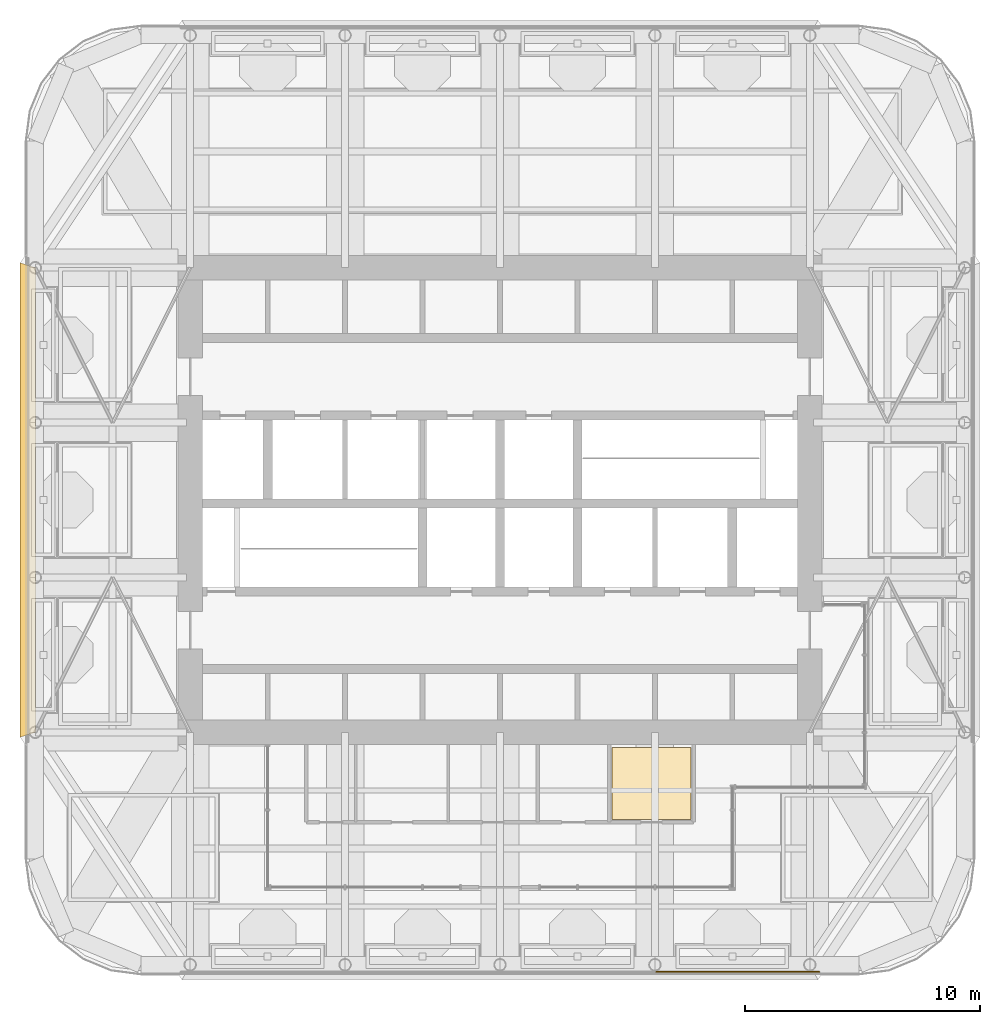
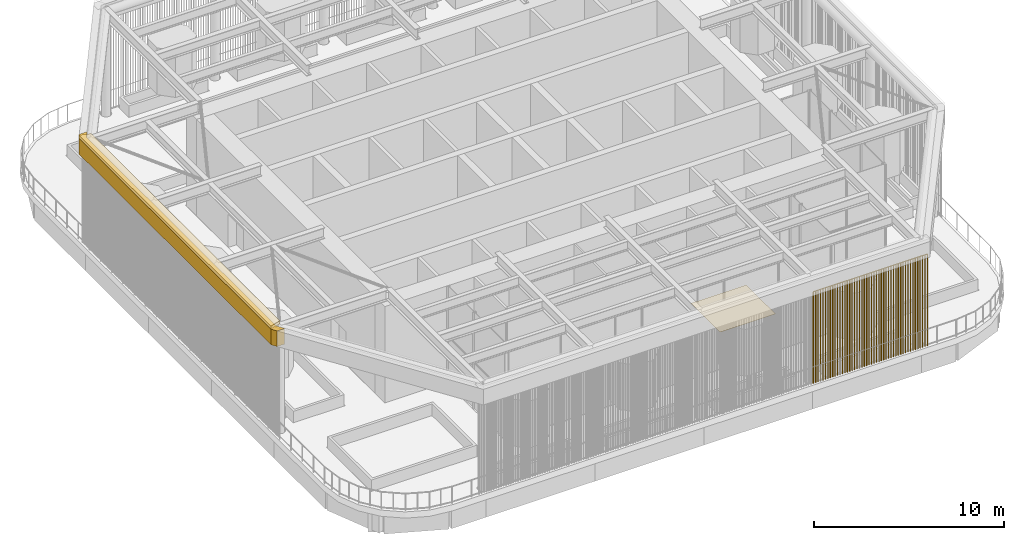
# One storey, part 12 of 22: 4 coverings.
"""IFC4 building model written with IfcOpenShell, lengths in metres."""

from ifc_helpers import new_model, si_unit, direction, frame, origin, place, context, subcontext, project, spatial, polyline, outline, extrude, material, layer, layer_set, type_object, element, save


model = new_model("IFC4")

# Units and contexts
model_context = context("Model", 3, precision=1e-05, world=origin(), true_north=direction((0.0, 1.0)))
body_context = subcontext(model_context, "Body", "Model", "MODEL_VIEW")
ifc_project = project(units=[si_unit("LENGTHUNIT", "METRE"), si_unit("AREAUNIT", "SQUARE_METRE"), si_unit("VOLUMEUNIT", "CUBIC_METRE"), si_unit("PLANEANGLEUNIT", "RADIAN"), si_unit("MASSUNIT", "GRAM", prefix="KILO")], contexts=[model_context])

# Site, building, storey
site_placement = place(None, origin())
site = spatial("IfcSite", under=ifc_project, at=site_placement, CompositionType="ELEMENT")
building_placement = place(site_placement, origin())
building = spatial("IfcBuilding", under=site, at=building_placement, Name="Cobogo Forest Laboratory Tower", CompositionType="ELEMENT")
storey_placement = place(building_placement, frame((0.0, 0.0, 292.800048828125)))
storey = spatial("IfcBuildingStorey", under=building, at=storey_placement, Name="RF", CompositionType="ELEMENT", Elevation=292.800048828125)

# Coverings
ifc_material_1 = material(Name="Terracotta rainscreen panels on steel brackets", Category="masonry")
ifc_layer_1 = layer(ifc_material_1, 0.389892578125)
ifc_layer_set_1 = layer_set([ifc_layer_1], Name="CF1 crown terracotta fascia 390")
covering_type_1 = type_object("IfcCoveringType", Name="CF1 crown terracotta fascia 390", PredefinedType="CLADDING", material=ifc_layer_set_1)
covering_1_placement = place(storey_placement, frame((0.0, 0.0, 5.89990234375)))
element("IfcCovering", 1, at=covering_1_placement, inside=storey, type_object=covering_type_1, Name="Crown fascia W", PredefinedType="CLADDING", context=body_context, shape_type="SweptSolid", body=[
    extrude(outline(polyline([(5.949951171875, 33.19677734375), (5.949951171875, 13.003173828125), (6.152099609375, 12.699951171875), (6.60009765625, 12.699951171875), (6.60009765625, 12.731201171875), (6.340087890625, 13.121337890625), (6.340087890625, 33.07861328125), (6.60009765625, 33.46875), (6.60009765625, 33.5), (6.152099609375, 33.5), (5.949951171875, 33.19677734375)])), origin(), (0.0, 0.0, 1.0), 1.00048828125),
])
ifc_material_2 = material(Name="Terracotta coping on steel brackets", Category="masonry")
ifc_layer_2 = layer(ifc_material_2, 0.199951171875)
ifc_layer_set_2 = layer_set([ifc_layer_2], Name="CF2 crown fascia coping 650")
covering_type_2 = type_object("IfcCoveringType", Name="CF2 crown fascia coping 650", PredefinedType="CLADDING", material=ifc_layer_set_2)
covering_2_placement = place(storey_placement, frame((0.0, 0.0, 6.900390625)))
element("IfcCovering", 2, at=covering_2_placement, inside=storey, type_object=covering_type_2, Name="Crown fascia coping W", PredefinedType="CLADDING", context=body_context, shape_type="SweptSolid", body=[
    extrude(outline(polyline([(6.60009765625, 33.0), (5.949951171875, 33.19677734375), (5.949951171875, 13.003173828125), (6.60009765625, 13.199951171875), (6.60009765625, 33.0)])), origin(), (0.0, 0.0, 1.0), 0.199462890625),
])
ifc_material_3 = material(Name="Terracotta baguettes on a galvanised steel top rail", Category="masonry")
covering_type_3 = type_object("IfcCoveringType", Name="CS1 crown terracotta baguette screen", PredefinedType="CLADDING", material=ifc_material_3)
covering_3_placement = place(storey_placement, frame((33.074951171875, 3.0, -0.0009765625)))
element("IfcCovering", 3, at=covering_3_placement, inside=storey, type_object=covering_type_3, Name="Crown screen S4", PredefinedType="CLADDING", context=body_context, shape_type="SweptSolid", body=[
    extrude(outline(polyline([(0.02880859375, 0.011962890625), (0.011962890625, 0.02880859375), (-0.011962890625, 0.02880859375), (-0.02880859375, 0.011962890625), (-0.02880859375, -0.011962890625), (-0.011962890625, -0.02880859375), (0.011962890625, -0.02880859375), (0.02880859375, -0.011962890625), (0.02880859375, 0.011962890625)])), frame((0.0, 0.0, 5.873046875), z_axis=(1.0, 0.0, 0.0), x_axis=(0.0, 1.0, 0.0)), (0.0, 0.0, 1.0), 6.925048828125),
    extrude(outline(polyline([(0.02880859375, 0.011962890625), (0.011962890625, 0.02880859375), (-0.011962890625, 0.02880859375), (-0.02880859375, 0.011962890625), (-0.02880859375, -0.011962890625), (-0.011962890625, -0.02880859375), (0.011962890625, -0.02880859375), (0.02880859375, -0.011962890625), (0.02880859375, 0.011962890625)])), origin(), (0.0, 0.0, 1.0), 5.841796875),
    extrude(outline(polyline([(0.02880859375, 0.011962890625), (0.011962890625, 0.02880859375), (-0.011962890625, 0.02880859375), (-0.02880859375, 0.011962890625), (-0.02880859375, -0.011962890625), (-0.011962890625, -0.02880859375), (0.011962890625, -0.02880859375), (0.02880859375, -0.011962890625), (0.02880859375, 0.011962890625)])), frame((0.1474609375, 0.0, 0.0)), (0.0, 0.0, 1.0), 5.841796875),
    extrude(outline(polyline([(0.02880859375, 0.011962890625), (0.011962890625, 0.02880859375), (-0.011962890625, 0.02880859375), (-0.02880859375, 0.011962890625), (-0.02880859375, -0.011962890625), (-0.011962890625, -0.02880859375), (0.011962890625, -0.02880859375), (0.02880859375, -0.011962890625), (0.02880859375, 0.011962890625)])), frame((0.294677734375, 0.0, 0.0)), (0.0, 0.0, 1.0), 5.841796875),
    extrude(outline(polyline([(0.02880859375, 0.011962890625), (0.011962890625, 0.02880859375), (-0.011962890625, 0.02880859375), (-0.02880859375, 0.011962890625), (-0.02880859375, -0.011962890625), (-0.011962890625, -0.02880859375), (0.011962890625, -0.02880859375), (0.02880859375, -0.011962890625), (0.02880859375, 0.011962890625)])), frame((0.442138671875, 0.0, 0.0)), (0.0, 0.0, 1.0), 5.841796875),
    extrude(outline(polyline([(0.02880859375, 0.011962890625), (0.011962890625, 0.02880859375), (-0.011962890625, 0.02880859375), (-0.02880859375, 0.011962890625), (-0.02880859375, -0.011962890625), (-0.011962890625, -0.02880859375), (0.011962890625, -0.02880859375), (0.02880859375, -0.011962890625), (0.02880859375, 0.011962890625)])), frame((0.58935546875, 0.0, 0.0)), (0.0, 0.0, 1.0), 5.841796875),
    extrude(outline(polyline([(0.02880859375, 0.011962890625), (0.011962890625, 0.02880859375), (-0.011962890625, 0.02880859375), (-0.02880859375, 0.011962890625), (-0.02880859375, -0.011962890625), (-0.011962890625, -0.02880859375), (0.011962890625, -0.02880859375), (0.02880859375, -0.011962890625), (0.02880859375, 0.011962890625)])), frame((0.73681640625, 0.0, 0.0)), (0.0, 0.0, 1.0), 5.841796875),
    extrude(outline(polyline([(0.02880859375, 0.011962890625), (0.011962890625, 0.02880859375), (-0.011962890625, 0.02880859375), (-0.02880859375, 0.011962890625), (-0.02880859375, -0.011962890625), (-0.011962890625, -0.02880859375), (0.011962890625, -0.02880859375), (0.02880859375, -0.011962890625), (0.02880859375, 0.011962890625)])), frame((0.884033203125, 0.0, 0.0)), (0.0, 0.0, 1.0), 5.841796875),
    extrude(outline(polyline([(0.02880859375, 0.011962890625), (0.011962890625, 0.02880859375), (-0.011962890625, 0.02880859375), (-0.02880859375, 0.011962890625), (-0.02880859375, -0.011962890625), (-0.011962890625, -0.02880859375), (0.011962890625, -0.02880859375), (0.02880859375, -0.011962890625), (0.02880859375, 0.011962890625)])), frame((1.031494140625, 0.0, 0.0)), (0.0, 0.0, 1.0), 5.841796875),
    extrude(outline(polyline([(0.02880859375, 0.011962890625), (0.011962890625, 0.02880859375), (-0.011962890625, 0.02880859375), (-0.02880859375, 0.011962890625), (-0.02880859375, -0.011962890625), (-0.011962890625, -0.02880859375), (0.011962890625, -0.02880859375), (0.02880859375, -0.011962890625), (0.02880859375, 0.011962890625)])), frame((1.1787109375, 0.0, 0.0)), (0.0, 0.0, 1.0), 5.841796875),
    extrude(outline(polyline([(0.02880859375, 0.011962890625), (0.011962890625, 0.02880859375), (-0.011962890625, 0.02880859375), (-0.02880859375, 0.011962890625), (-0.02880859375, -0.011962890625), (-0.011962890625, -0.02880859375), (0.011962890625, -0.02880859375), (0.02880859375, -0.011962890625), (0.02880859375, 0.011962890625)])), frame((1.326171875, 0.0, 0.0)), (0.0, 0.0, 1.0), 5.841796875),
    extrude(outline(polyline([(0.02880859375, 0.011962890625), (0.011962890625, 0.02880859375), (-0.011962890625, 0.02880859375), (-0.02880859375, 0.011962890625), (-0.02880859375, -0.011962890625), (-0.011962890625, -0.02880859375), (0.011962890625, -0.02880859375), (0.02880859375, -0.011962890625), (0.02880859375, 0.011962890625)])), frame((1.473388671875, 0.0, 0.0)), (0.0, 0.0, 1.0), 5.841796875),
    extrude(outline(polyline([(0.02880859375, 0.011962890625), (0.011962890625, 0.02880859375), (-0.011962890625, 0.02880859375), (-0.02880859375, 0.011962890625), (-0.02880859375, -0.011962890625), (-0.011962890625, -0.02880859375), (0.011962890625, -0.02880859375), (0.02880859375, -0.011962890625), (0.02880859375, 0.011962890625)])), frame((1.620849609375, 0.0, 0.0)), (0.0, 0.0, 1.0), 5.841796875),
    extrude(outline(polyline([(0.02880859375, 0.011962890625), (0.011962890625, 0.02880859375), (-0.011962890625, 0.02880859375), (-0.02880859375, 0.011962890625), (-0.02880859375, -0.011962890625), (-0.011962890625, -0.02880859375), (0.011962890625, -0.02880859375), (0.02880859375, -0.011962890625), (0.02880859375, 0.011962890625)])), frame((1.76806640625, 0.0, 0.0)), (0.0, 0.0, 1.0), 5.841796875),
    extrude(outline(polyline([(0.02880859375, 0.011962890625), (0.011962890625, 0.02880859375), (-0.011962890625, 0.02880859375), (-0.02880859375, 0.011962890625), (-0.02880859375, -0.011962890625), (-0.011962890625, -0.02880859375), (0.011962890625, -0.02880859375), (0.02880859375, -0.011962890625), (0.02880859375, 0.011962890625)])), frame((1.91552734375, 0.0, 0.0)), (0.0, 0.0, 1.0), 5.841796875),
    extrude(outline(polyline([(0.02880859375, 0.011962890625), (0.011962890625, 0.02880859375), (-0.011962890625, 0.02880859375), (-0.02880859375, 0.011962890625), (-0.02880859375, -0.011962890625), (-0.011962890625, -0.02880859375), (0.011962890625, -0.02880859375), (0.02880859375, -0.011962890625), (0.02880859375, 0.011962890625)])), frame((2.062744140625, 0.0, 0.0)), (0.0, 0.0, 1.0), 5.841796875),
    extrude(outline(polyline([(0.02880859375, 0.011962890625), (0.011962890625, 0.02880859375), (-0.011962890625, 0.02880859375), (-0.02880859375, 0.011962890625), (-0.02880859375, -0.011962890625), (-0.011962890625, -0.02880859375), (0.011962890625, -0.02880859375), (0.02880859375, -0.011962890625), (0.02880859375, 0.011962890625)])), frame((2.210205078125, 0.0, 0.0)), (0.0, 0.0, 1.0), 5.841796875),
    extrude(outline(polyline([(0.02880859375, 0.011962890625), (0.011962890625, 0.02880859375), (-0.011962890625, 0.02880859375), (-0.02880859375, 0.011962890625), (-0.02880859375, -0.011962890625), (-0.011962890625, -0.02880859375), (0.011962890625, -0.02880859375), (0.02880859375, -0.011962890625), (0.02880859375, 0.011962890625)])), frame((2.357421875, 0.0, 0.0)), (0.0, 0.0, 1.0), 5.841796875),
    extrude(outline(polyline([(0.02880859375, 0.011962890625), (0.011962890625, 0.02880859375), (-0.011962890625, 0.02880859375), (-0.02880859375, 0.011962890625), (-0.02880859375, -0.011962890625), (-0.011962890625, -0.02880859375), (0.011962890625, -0.02880859375), (0.02880859375, -0.011962890625), (0.02880859375, 0.011962890625)])), frame((2.5048828125, 0.0, 0.0)), (0.0, 0.0, 1.0), 5.841796875),
    extrude(outline(polyline([(0.02880859375, 0.011962890625), (0.011962890625, 0.02880859375), (-0.011962890625, 0.02880859375), (-0.02880859375, 0.011962890625), (-0.02880859375, -0.011962890625), (-0.011962890625, -0.02880859375), (0.011962890625, -0.02880859375), (0.02880859375, -0.011962890625), (0.02880859375, 0.011962890625)])), frame((2.652099609375, 0.0, 0.0)), (0.0, 0.0, 1.0), 5.841796875),
    extrude(outline(polyline([(0.02880859375, 0.011962890625), (0.011962890625, 0.02880859375), (-0.011962890625, 0.02880859375), (-0.02880859375, 0.011962890625), (-0.02880859375, -0.011962890625), (-0.011962890625, -0.02880859375), (0.011962890625, -0.02880859375), (0.02880859375, -0.011962890625), (0.02880859375, 0.011962890625)])), frame((2.799560546875, 0.0, 0.0)), (0.0, 0.0, 1.0), 5.841796875),
    extrude(outline(polyline([(0.02880859375, 0.011962890625), (0.011962890625, 0.02880859375), (-0.011962890625, 0.02880859375), (-0.02880859375, 0.011962890625), (-0.02880859375, -0.011962890625), (-0.011962890625, -0.02880859375), (0.011962890625, -0.02880859375), (0.02880859375, -0.011962890625), (0.02880859375, 0.011962890625)])), frame((2.94677734375, 0.0, 0.0)), (0.0, 0.0, 1.0), 5.841796875),
    extrude(outline(polyline([(0.02880859375, 0.011962890625), (0.011962890625, 0.02880859375), (-0.011962890625, 0.02880859375), (-0.02880859375, 0.011962890625), (-0.02880859375, -0.011962890625), (-0.011962890625, -0.02880859375), (0.011962890625, -0.02880859375), (0.02880859375, -0.011962890625), (0.02880859375, 0.011962890625)])), frame((3.09423828125, 0.0, 0.0)), (0.0, 0.0, 1.0), 5.841796875),
    extrude(outline(polyline([(0.02880859375, 0.011962890625), (0.011962890625, 0.02880859375), (-0.011962890625, 0.02880859375), (-0.02880859375, 0.011962890625), (-0.02880859375, -0.011962890625), (-0.011962890625, -0.02880859375), (0.011962890625, -0.02880859375), (0.02880859375, -0.011962890625), (0.02880859375, 0.011962890625)])), frame((3.241455078125, 0.0, 0.0)), (0.0, 0.0, 1.0), 5.841796875),
    extrude(outline(polyline([(0.02880859375, 0.011962890625), (0.011962890625, 0.02880859375), (-0.011962890625, 0.02880859375), (-0.02880859375, 0.011962890625), (-0.02880859375, -0.011962890625), (-0.011962890625, -0.02880859375), (0.011962890625, -0.02880859375), (0.02880859375, -0.011962890625), (0.02880859375, 0.011962890625)])), frame((3.388916015625, 0.0, 0.0)), (0.0, 0.0, 1.0), 5.841796875),
    extrude(outline(polyline([(0.02880859375, 0.011962890625), (0.011962890625, 0.02880859375), (-0.011962890625, 0.02880859375), (-0.02880859375, 0.011962890625), (-0.02880859375, -0.011962890625), (-0.011962890625, -0.02880859375), (0.011962890625, -0.02880859375), (0.02880859375, -0.011962890625), (0.02880859375, 0.011962890625)])), frame((3.5361328125, 0.0, 0.0)), (0.0, 0.0, 1.0), 5.841796875),
    extrude(outline(polyline([(0.02880859375, 0.011962890625), (0.011962890625, 0.02880859375), (-0.011962890625, 0.02880859375), (-0.02880859375, 0.011962890625), (-0.02880859375, -0.011962890625), (-0.011962890625, -0.02880859375), (0.011962890625, -0.02880859375), (0.02880859375, -0.011962890625), (0.02880859375, 0.011962890625)])), frame((3.68359375, 0.0, 0.0)), (0.0, 0.0, 1.0), 5.841796875),
    extrude(outline(polyline([(0.02880859375, 0.011962890625), (0.011962890625, 0.02880859375), (-0.011962890625, 0.02880859375), (-0.02880859375, 0.011962890625), (-0.02880859375, -0.011962890625), (-0.011962890625, -0.02880859375), (0.011962890625, -0.02880859375), (0.02880859375, -0.011962890625), (0.02880859375, 0.011962890625)])), frame((3.830810546875, 0.0, 0.0)), (0.0, 0.0, 1.0), 5.841796875),
    extrude(outline(polyline([(0.02880859375, 0.011962890625), (0.011962890625, 0.02880859375), (-0.011962890625, 0.02880859375), (-0.02880859375, 0.011962890625), (-0.02880859375, -0.011962890625), (-0.011962890625, -0.02880859375), (0.011962890625, -0.02880859375), (0.02880859375, -0.011962890625), (0.02880859375, 0.011962890625)])), frame((3.978271484375, 0.0, 0.0)), (0.0, 0.0, 1.0), 5.841796875),
    extrude(outline(polyline([(0.02880859375, 0.011962890625), (0.011962890625, 0.02880859375), (-0.011962890625, 0.02880859375), (-0.02880859375, 0.011962890625), (-0.02880859375, -0.011962890625), (-0.011962890625, -0.02880859375), (0.011962890625, -0.02880859375), (0.02880859375, -0.011962890625), (0.02880859375, 0.011962890625)])), frame((4.12548828125, 0.0, 0.0)), (0.0, 0.0, 1.0), 5.841796875),
    extrude(outline(polyline([(0.02880859375, 0.011962890625), (0.011962890625, 0.02880859375), (-0.011962890625, 0.02880859375), (-0.02880859375, 0.011962890625), (-0.02880859375, -0.011962890625), (-0.011962890625, -0.02880859375), (0.011962890625, -0.02880859375), (0.02880859375, -0.011962890625), (0.02880859375, 0.011962890625)])), frame((4.27294921875, 0.0, 0.0)), (0.0, 0.0, 1.0), 5.841796875),
    extrude(outline(polyline([(0.02880859375, 0.011962890625), (0.011962890625, 0.02880859375), (-0.011962890625, 0.02880859375), (-0.02880859375, 0.011962890625), (-0.02880859375, -0.011962890625), (-0.011962890625, -0.02880859375), (0.011962890625, -0.02880859375), (0.02880859375, -0.011962890625), (0.02880859375, 0.011962890625)])), frame((4.420166015625, 0.0, 0.0)), (0.0, 0.0, 1.0), 5.841796875),
    extrude(outline(polyline([(0.02880859375, 0.011962890625), (0.011962890625, 0.02880859375), (-0.011962890625, 0.02880859375), (-0.02880859375, 0.011962890625), (-0.02880859375, -0.011962890625), (-0.011962890625, -0.02880859375), (0.011962890625, -0.02880859375), (0.02880859375, -0.011962890625), (0.02880859375, 0.011962890625)])), frame((4.567626953125, 0.0, 0.0)), (0.0, 0.0, 1.0), 5.841796875),
    extrude(outline(polyline([(0.02880859375, 0.011962890625), (0.011962890625, 0.02880859375), (-0.011962890625, 0.02880859375), (-0.02880859375, 0.011962890625), (-0.02880859375, -0.011962890625), (-0.011962890625, -0.02880859375), (0.011962890625, -0.02880859375), (0.02880859375, -0.011962890625), (0.02880859375, 0.011962890625)])), frame((4.71484375, 0.0, 0.0)), (0.0, 0.0, 1.0), 5.841796875),
    extrude(outline(polyline([(0.02880859375, 0.011962890625), (0.011962890625, 0.02880859375), (-0.011962890625, 0.02880859375), (-0.02880859375, 0.011962890625), (-0.02880859375, -0.011962890625), (-0.011962890625, -0.02880859375), (0.011962890625, -0.02880859375), (0.02880859375, -0.011962890625), (0.02880859375, 0.011962890625)])), frame((4.8623046875, 0.0, 0.0)), (0.0, 0.0, 1.0), 5.841796875),
    extrude(outline(polyline([(0.02880859375, 0.011962890625), (0.011962890625, 0.02880859375), (-0.011962890625, 0.02880859375), (-0.02880859375, 0.011962890625), (-0.02880859375, -0.011962890625), (-0.011962890625, -0.02880859375), (0.011962890625, -0.02880859375), (0.02880859375, -0.011962890625), (0.02880859375, 0.011962890625)])), frame((5.009521484375, 0.0, 0.0)), (0.0, 0.0, 1.0), 5.841796875),
    extrude(outline(polyline([(0.02880859375, 0.011962890625), (0.011962890625, 0.02880859375), (-0.011962890625, 0.02880859375), (-0.02880859375, 0.011962890625), (-0.02880859375, -0.011962890625), (-0.011962890625, -0.02880859375), (0.011962890625, -0.02880859375), (0.02880859375, -0.011962890625), (0.02880859375, 0.011962890625)])), frame((5.156982421875, 0.0, 0.0)), (0.0, 0.0, 1.0), 5.841796875),
    extrude(outline(polyline([(0.02880859375, 0.011962890625), (0.011962890625, 0.02880859375), (-0.011962890625, 0.02880859375), (-0.02880859375, 0.011962890625), (-0.02880859375, -0.011962890625), (-0.011962890625, -0.02880859375), (0.011962890625, -0.02880859375), (0.02880859375, -0.011962890625), (0.02880859375, 0.011962890625)])), frame((5.30419921875, 0.0, 0.0)), (0.0, 0.0, 1.0), 5.841796875),
    extrude(outline(polyline([(0.02880859375, 0.011962890625), (0.011962890625, 0.02880859375), (-0.011962890625, 0.02880859375), (-0.02880859375, 0.011962890625), (-0.02880859375, -0.011962890625), (-0.011962890625, -0.02880859375), (0.011962890625, -0.02880859375), (0.02880859375, -0.011962890625), (0.02880859375, 0.011962890625)])), frame((5.45166015625, 0.0, 0.0)), (0.0, 0.0, 1.0), 5.841796875),
    extrude(outline(polyline([(0.02880859375, 0.011962890625), (0.011962890625, 0.02880859375), (-0.011962890625, 0.02880859375), (-0.02880859375, 0.011962890625), (-0.02880859375, -0.011962890625), (-0.011962890625, -0.02880859375), (0.011962890625, -0.02880859375), (0.02880859375, -0.011962890625), (0.02880859375, 0.011962890625)])), frame((5.598876953125, 0.0, 0.0)), (0.0, 0.0, 1.0), 5.841796875),
    extrude(outline(polyline([(0.02880859375, 0.011962890625), (0.011962890625, 0.02880859375), (-0.011962890625, 0.02880859375), (-0.02880859375, 0.011962890625), (-0.02880859375, -0.011962890625), (-0.011962890625, -0.02880859375), (0.011962890625, -0.02880859375), (0.02880859375, -0.011962890625), (0.02880859375, 0.011962890625)])), frame((5.746337890625, 0.0, 0.0)), (0.0, 0.0, 1.0), 5.841796875),
    extrude(outline(polyline([(0.02880859375, 0.011962890625), (0.011962890625, 0.02880859375), (-0.011962890625, 0.02880859375), (-0.02880859375, 0.011962890625), (-0.02880859375, -0.011962890625), (-0.011962890625, -0.02880859375), (0.011962890625, -0.02880859375), (0.02880859375, -0.011962890625), (0.02880859375, 0.011962890625)])), frame((5.8935546875, 0.0, 0.0)), (0.0, 0.0, 1.0), 5.841796875),
    extrude(outline(polyline([(0.02880859375, 0.011962890625), (0.011962890625, 0.02880859375), (-0.011962890625, 0.02880859375), (-0.02880859375, 0.011962890625), (-0.02880859375, -0.011962890625), (-0.011962890625, -0.02880859375), (0.011962890625, -0.02880859375), (0.02880859375, -0.011962890625), (0.02880859375, 0.011962890625)])), frame((6.041015625, 0.0, 0.0)), (0.0, 0.0, 1.0), 5.841796875),
    extrude(outline(polyline([(0.02880859375, 0.011962890625), (0.011962890625, 0.02880859375), (-0.011962890625, 0.02880859375), (-0.02880859375, 0.011962890625), (-0.02880859375, -0.011962890625), (-0.011962890625, -0.02880859375), (0.011962890625, -0.02880859375), (0.02880859375, -0.011962890625), (0.02880859375, 0.011962890625)])), frame((6.188232421875, 0.0, 0.0)), (0.0, 0.0, 1.0), 5.841796875),
    extrude(outline(polyline([(0.02880859375, 0.011962890625), (0.011962890625, 0.02880859375), (-0.011962890625, 0.02880859375), (-0.02880859375, 0.011962890625), (-0.02880859375, -0.011962890625), (-0.011962890625, -0.02880859375), (0.011962890625, -0.02880859375), (0.02880859375, -0.011962890625), (0.02880859375, 0.011962890625)])), frame((6.335693359375, 0.0, 0.0)), (0.0, 0.0, 1.0), 5.841796875),
    extrude(outline(polyline([(0.02880859375, 0.011962890625), (0.011962890625, 0.02880859375), (-0.011962890625, 0.02880859375), (-0.02880859375, 0.011962890625), (-0.02880859375, -0.011962890625), (-0.011962890625, -0.02880859375), (0.011962890625, -0.02880859375), (0.02880859375, -0.011962890625), (0.02880859375, 0.011962890625)])), frame((6.48291015625, 0.0, 0.0)), (0.0, 0.0, 1.0), 5.841796875),
    extrude(outline(polyline([(0.02880859375, 0.011962890625), (0.011962890625, 0.02880859375), (-0.011962890625, 0.02880859375), (-0.02880859375, 0.011962890625), (-0.02880859375, -0.011962890625), (-0.011962890625, -0.02880859375), (0.011962890625, -0.02880859375), (0.02880859375, -0.011962890625), (0.02880859375, 0.011962890625)])), frame((6.63037109375, 0.0, 0.0)), (0.0, 0.0, 1.0), 5.841796875),
    extrude(outline(polyline([(0.02880859375, 0.011962890625), (0.011962890625, 0.02880859375), (-0.011962890625, 0.02880859375), (-0.02880859375, 0.011962890625), (-0.02880859375, -0.011962890625), (-0.011962890625, -0.02880859375), (0.011962890625, -0.02880859375), (0.02880859375, -0.011962890625), (0.02880859375, 0.011962890625)])), frame((6.777587890625, 0.0, 0.0)), (0.0, 0.0, 1.0), 5.841796875),
    extrude(outline(polyline([(0.02880859375, 0.011962890625), (0.011962890625, 0.02880859375), (-0.011962890625, 0.02880859375), (-0.02880859375, 0.011962890625), (-0.02880859375, -0.011962890625), (-0.011962890625, -0.02880859375), (0.011962890625, -0.02880859375), (0.02880859375, -0.011962890625), (0.02880859375, 0.011962890625)])), frame((6.925048828125, 0.0, 0.0)), (0.0, 0.0, 1.0), 5.841796875),
])
ifc_material_4 = material(Name="Static-dissipative vinyl flooring", Category="flooring")
ifc_layer_3 = layer(ifc_material_4, 0.0029296875)
ifc_layer_set_3 = layer_set([ifc_layer_3], Name="SD1 static-dissipative vinyl floor 3")
covering_type_4 = type_object("IfcCoveringType", Name="SD1 static-dissipative vinyl floor 3", PredefinedType="FLOORING", material=ifc_layer_set_3)
covering_4_placement = place(storey_placement, origin())
element("IfcCovering", 4, at=covering_4_placement, inside=storey, type_object=covering_type_4, Name="Static-dissipative floor RF-05", PredefinedType="FLOORING", context=body_context, shape_type="SweptSolid", body=[
    extrude(outline(polyline([(34.530029296875, 9.4951171875), (31.169921875, 9.4951171875), (31.169921875, 12.554931640625), (34.530029296875, 12.554931640625), (34.530029296875, 9.4951171875)])), origin(), (0.0, 0.0, 1.0), 0.0029296875),
])

save(model, "model.ifc")
